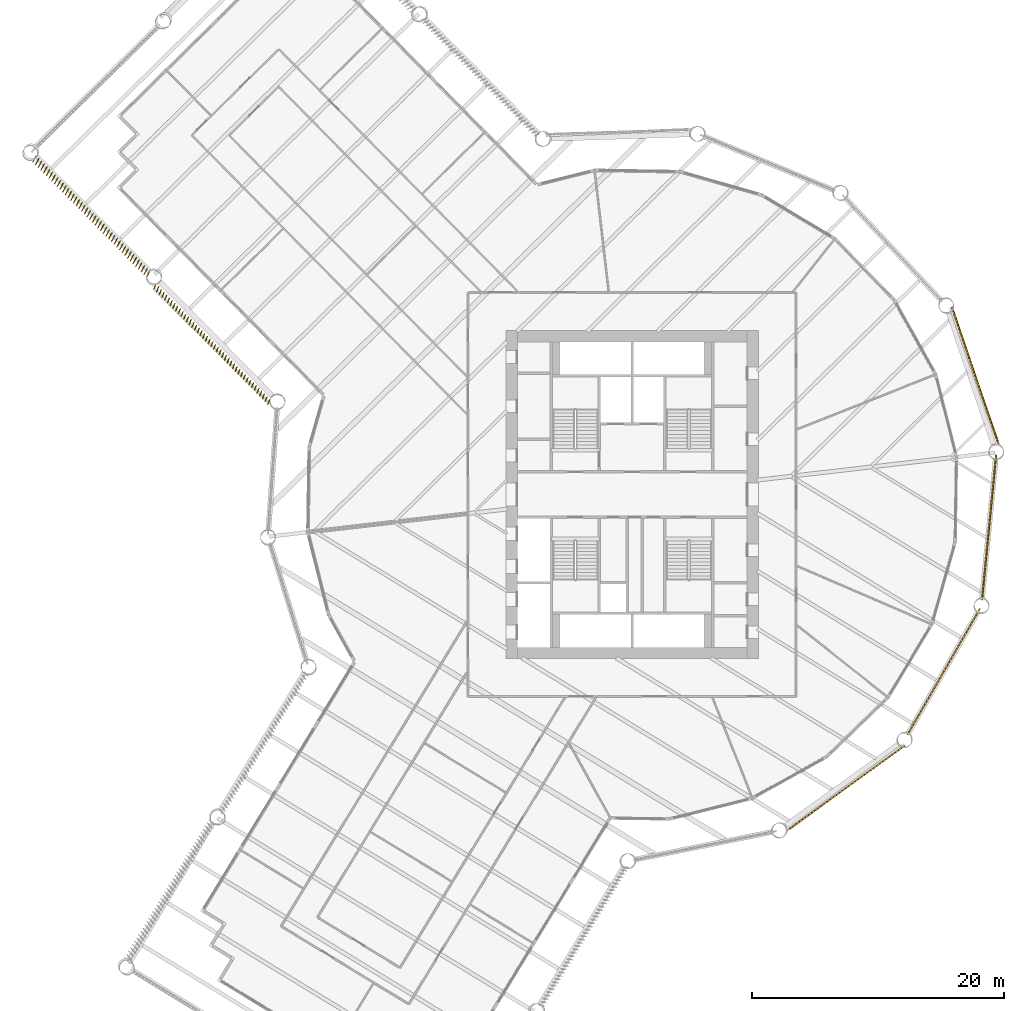
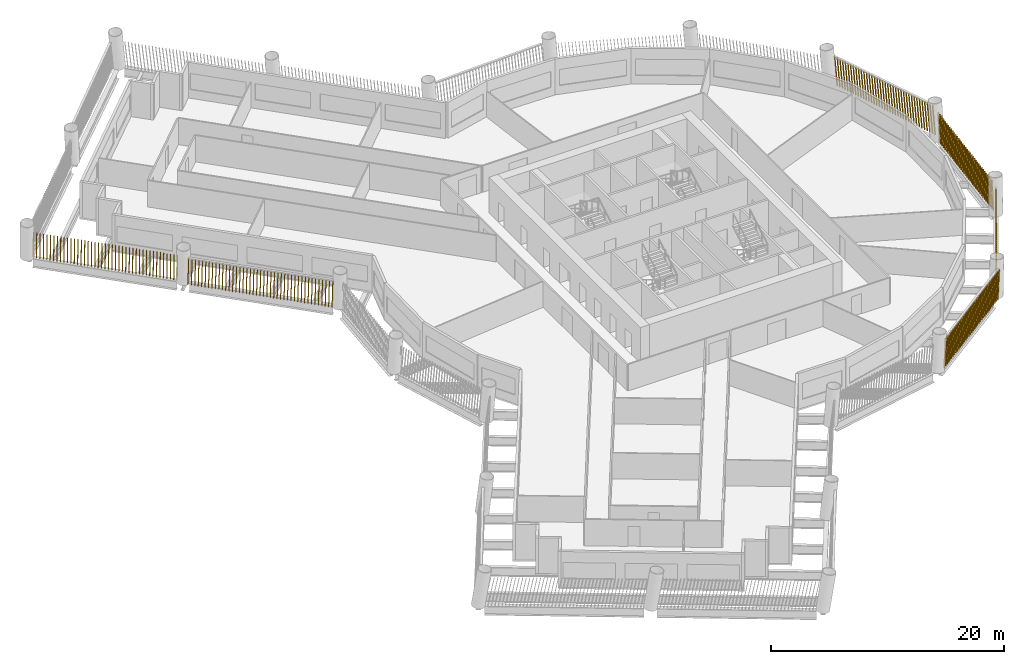
# One storey, part 13 of 15: 6 shading devices.
"""IFC4 building model written with IfcOpenShell, lengths in metres."""

from ifc_helpers import new_model, si_unit, direction, frame, frame_2d, origin, place, context, subcontext, project, spatial, rectangle, composite_profile, extrude, material, type_object, element, save


model = new_model("IFC4")

# Units and contexts
model_context = context("Model", 3, precision=1e-05, world=origin(), true_north=direction((0.0, 1.0)))
body_context = subcontext(model_context, "Body", "Model", "MODEL_VIEW")
ifc_project = project(units=[si_unit("LENGTHUNIT", "METRE"), si_unit("AREAUNIT", "SQUARE_METRE"), si_unit("VOLUMEUNIT", "CUBIC_METRE"), si_unit("PLANEANGLEUNIT", "RADIAN"), si_unit("MASSUNIT", "GRAM", prefix="KILO")], contexts=[model_context])

# Site, building, storey
site_placement = place(None, origin())
site = spatial("IfcSite", under=ifc_project, at=site_placement, CompositionType="ELEMENT")
building_placement = place(site_placement, origin())
building = spatial("IfcBuilding", under=site, at=building_placement, Name="Tarsis Ring Headquarters", CompositionType="ELEMENT")
storey_placement = place(building_placement, frame((0.0, 0.0, 75.10009765625)))
storey = spatial("IfcBuildingStorey", under=building, at=storey_placement, Name="L16", CompositionType="ELEMENT", Elevation=75.10009765625)

# Shading devices
ifc_material = material(Name="Terracotta baguette", Category="masonry")
shading_device_type = type_object("IfcShadingDeviceType", Name="Terracotta baguette screen", PredefinedType="USERDEFINED", material=ifc_material)
shading_device_1_placement = place(storey_placement, frame((12.24169921875, -26.63671875, 0.0), z_axis=(0.0, 0.0, 1.0), x_axis=(0.811633206728, 0.584156266956, 0.0)))
element("IfcShadingDevice", 1, at=shading_device_1_placement, inside=storey, type_object=shading_device_type, Name="Baguette screen L16-08", ObjectType="Terracotta baguette screen", PredefinedType="USERDEFINED", context=body_context, shape_type="SweptSolid", body=[
    extrude(composite_profile([rectangle(XDim=0.06005859375, YDim=0.1201171875, at=frame_2d((0.030029296875, 0.0))), rectangle(XDim=0.06005859375, YDim=0.1201171875, at=frame_2d((0.33251953125, 0.0))), rectangle(XDim=0.06005859375, YDim=0.1201171875, at=frame_2d((0.634765625, 0.0))), rectangle(XDim=0.06005859375, YDim=0.1201171875, at=frame_2d((0.937255859375, 0.0))), rectangle(XDim=0.06005859375, YDim=0.1201171875, at=frame_2d((1.239501953125, 0.0))), rectangle(XDim=0.06005859375, YDim=0.1201171875, at=frame_2d((1.5419921875, 0.0))), rectangle(XDim=0.06005859375, YDim=0.1201171875, at=frame_2d((1.844482421875, 0.0))), rectangle(XDim=0.06005859375, YDim=0.1201171875, at=frame_2d((2.146728515625, 0.0))), rectangle(XDim=0.06005859375, YDim=0.1201171875, at=frame_2d((2.44921875, 0.0))), rectangle(XDim=0.06005859375, YDim=0.1201171875, at=frame_2d((2.751708984375, 0.0))), rectangle(XDim=0.06005859375, YDim=0.1201171875, at=frame_2d((3.053955078125, 0.0))), rectangle(XDim=0.06005859375, YDim=0.1201171875, at=frame_2d((3.3564453125, 0.0))), rectangle(XDim=0.06005859375, YDim=0.1201171875, at=frame_2d((3.65869140625, 0.0))), rectangle(XDim=0.06005859375, YDim=0.1201171875, at=frame_2d((3.961181640625, 0.0))), rectangle(XDim=0.06005859375, YDim=0.1201171875, at=frame_2d((4.263671875, 0.0))), rectangle(XDim=0.06005859375, YDim=0.1201171875, at=frame_2d((4.56591796875, 0.0))), rectangle(XDim=0.06005859375, YDim=0.1201171875, at=frame_2d((4.868408203125, 0.0))), rectangle(XDim=0.06005859375, YDim=0.1201171875, at=frame_2d((5.1708984375, 0.0))), rectangle(XDim=0.06005859375, YDim=0.1201171875, at=frame_2d((5.47314453125, 0.0))), rectangle(XDim=0.06005859375, YDim=0.1201171875, at=frame_2d((5.775634765625, 0.0))), rectangle(XDim=0.06005859375, YDim=0.1201171875, at=frame_2d((6.077880859375, 0.0))), rectangle(XDim=0.06005859375, YDim=0.1201171875, at=frame_2d((6.38037109375, 0.0))), rectangle(XDim=0.06005859375, YDim=0.1201171875, at=frame_2d((6.682861328125, 0.0))), rectangle(XDim=0.06005859375, YDim=0.1201171875, at=frame_2d((6.985107421875, 0.0))), rectangle(XDim=0.06005859375, YDim=0.1201171875, at=frame_2d((7.28759765625, 0.0))), rectangle(XDim=0.06005859375, YDim=0.1201171875, at=frame_2d((7.590087890625, 0.0))), rectangle(XDim=0.06005859375, YDim=0.1201171875, at=frame_2d((7.892333984375, 0.0))), rectangle(XDim=0.06005859375, YDim=0.1201171875, at=frame_2d((8.19482421875, 0.0))), rectangle(XDim=0.06005859375, YDim=0.1201171875, at=frame_2d((8.4970703125, 0.0))), rectangle(XDim=0.06005859375, YDim=0.1201171875, at=frame_2d((8.799560546875, 0.0))), rectangle(XDim=0.06005859375, YDim=0.1201171875, at=frame_2d((9.10205078125, 0.0))), rectangle(XDim=0.06005859375, YDim=0.1201171875, at=frame_2d((9.404296875, 0.0))), rectangle(XDim=0.06005859375, YDim=0.1201171875, at=frame_2d((9.706787109375, 0.0))), rectangle(XDim=0.06005859375, YDim=0.1201171875, at=frame_2d((10.00927734375, 0.0))), rectangle(XDim=0.06005859375, YDim=0.1201171875, at=frame_2d((10.3115234375, 0.0))), rectangle(XDim=0.06005859375, YDim=0.1201171875, at=frame_2d((10.614013671875, 0.0))), rectangle(XDim=0.06005859375, YDim=0.1201171875, at=frame_2d((10.916259765625, 0.0))), rectangle(XDim=0.06005859375, YDim=0.1201171875, at=frame_2d((11.21875, 0.0)))]), origin(), (0.101517902205, 0.000531703042, 0.994833570415), 2.9677734375),
])
shading_device_2_placement = place(storey_placement, frame((21.807861328125, -19.035888671875, 0.0), z_axis=(0.0, 0.0, 1.0), x_axis=(0.498686923494, 0.866782419967, 0.0)))
element("IfcShadingDevice", 2, at=shading_device_2_placement, inside=storey, type_object=shading_device_type, Name="Baguette screen L16-09", ObjectType="Terracotta baguette screen", PredefinedType="USERDEFINED", context=body_context, shape_type="SweptSolid", body=[
    extrude(composite_profile([rectangle(XDim=0.06005859375, YDim=0.1201171875, at=frame_2d((0.030029296875, 0.0))), rectangle(XDim=0.06005859375, YDim=0.1201171875, at=frame_2d((0.33251953125, 0.0))), rectangle(XDim=0.06005859375, YDim=0.1201171875, at=frame_2d((0.634765625, 0.0))), rectangle(XDim=0.06005859375, YDim=0.1201171875, at=frame_2d((0.937255859375, 0.0))), rectangle(XDim=0.06005859375, YDim=0.1201171875, at=frame_2d((1.239501953125, 0.0))), rectangle(XDim=0.06005859375, YDim=0.1201171875, at=frame_2d((1.5419921875, 0.0))), rectangle(XDim=0.06005859375, YDim=0.1201171875, at=frame_2d((1.844482421875, 0.0))), rectangle(XDim=0.06005859375, YDim=0.1201171875, at=frame_2d((2.146728515625, 0.0))), rectangle(XDim=0.06005859375, YDim=0.1201171875, at=frame_2d((2.44921875, 0.0))), rectangle(XDim=0.06005859375, YDim=0.1201171875, at=frame_2d((2.751708984375, 0.0))), rectangle(XDim=0.06005859375, YDim=0.1201171875, at=frame_2d((3.053955078125, 0.0))), rectangle(XDim=0.06005859375, YDim=0.1201171875, at=frame_2d((3.3564453125, 0.0))), rectangle(XDim=0.06005859375, YDim=0.1201171875, at=frame_2d((3.65869140625, 0.0))), rectangle(XDim=0.06005859375, YDim=0.1201171875, at=frame_2d((3.961181640625, 0.0))), rectangle(XDim=0.06005859375, YDim=0.1201171875, at=frame_2d((4.263671875, 0.0))), rectangle(XDim=0.06005859375, YDim=0.1201171875, at=frame_2d((4.56591796875, 0.0))), rectangle(XDim=0.06005859375, YDim=0.1201171875, at=frame_2d((4.868408203125, 0.0))), rectangle(XDim=0.06005859375, YDim=0.1201171875, at=frame_2d((5.1708984375, 0.0))), rectangle(XDim=0.06005859375, YDim=0.1201171875, at=frame_2d((5.47314453125, 0.0))), rectangle(XDim=0.06005859375, YDim=0.1201171875, at=frame_2d((5.775634765625, 0.0))), rectangle(XDim=0.06005859375, YDim=0.1201171875, at=frame_2d((6.077880859375, 0.0))), rectangle(XDim=0.06005859375, YDim=0.1201171875, at=frame_2d((6.38037109375, 0.0))), rectangle(XDim=0.06005859375, YDim=0.1201171875, at=frame_2d((6.682861328125, 0.0))), rectangle(XDim=0.06005859375, YDim=0.1201171875, at=frame_2d((6.985107421875, 0.0))), rectangle(XDim=0.06005859375, YDim=0.1201171875, at=frame_2d((7.28759765625, 0.0))), rectangle(XDim=0.06005859375, YDim=0.1201171875, at=frame_2d((7.590087890625, 0.0))), rectangle(XDim=0.06005859375, YDim=0.1201171875, at=frame_2d((7.892333984375, 0.0))), rectangle(XDim=0.06005859375, YDim=0.1201171875, at=frame_2d((8.19482421875, 0.0))), rectangle(XDim=0.06005859375, YDim=0.1201171875, at=frame_2d((8.4970703125, 0.0))), rectangle(XDim=0.06005859375, YDim=0.1201171875, at=frame_2d((8.799560546875, 0.0))), rectangle(XDim=0.06005859375, YDim=0.1201171875, at=frame_2d((9.10205078125, 0.0))), rectangle(XDim=0.06005859375, YDim=0.1201171875, at=frame_2d((9.404296875, 0.0))), rectangle(XDim=0.06005859375, YDim=0.1201171875, at=frame_2d((9.706787109375, 0.0))), rectangle(XDim=0.06005859375, YDim=0.1201171875, at=frame_2d((10.00927734375, 0.0))), rectangle(XDim=0.06005859375, YDim=0.1201171875, at=frame_2d((10.3115234375, 0.0))), rectangle(XDim=0.06005859375, YDim=0.1201171875, at=frame_2d((10.614013671875, 0.0))), rectangle(XDim=0.06005859375, YDim=0.1201171875, at=frame_2d((10.916259765625, 0.0))), rectangle(XDim=0.06005859375, YDim=0.1201171875, at=frame_2d((11.21875, 0.0)))]), origin(), (0.100208904118, 0.000523672257, 0.99496628149), 2.96728515625),
])
shading_device_3_placement = place(storey_placement, frame((27.71533203125, -8.3544921875, 0.0), z_axis=(0.0, 0.0, 1.0), x_axis=(0.097080846446, 0.995268583831, 0.0)))
element("IfcShadingDevice", 3, at=shading_device_3_placement, inside=storey, type_object=shading_device_type, Name="Baguette screen L16-10", ObjectType="Terracotta baguette screen", PredefinedType="USERDEFINED", context=body_context, shape_type="SweptSolid", body=[
    extrude(composite_profile([rectangle(XDim=0.06005859375, YDim=0.1201171875, at=frame_2d((0.030029296875, 0.0))), rectangle(XDim=0.06005859375, YDim=0.1201171875, at=frame_2d((0.33251953125, 0.0))), rectangle(XDim=0.06005859375, YDim=0.1201171875, at=frame_2d((0.634765625, 0.0))), rectangle(XDim=0.06005859375, YDim=0.1201171875, at=frame_2d((0.937255859375, 0.0))), rectangle(XDim=0.06005859375, YDim=0.1201171875, at=frame_2d((1.239501953125, 0.0))), rectangle(XDim=0.06005859375, YDim=0.1201171875, at=frame_2d((1.5419921875, 0.0))), rectangle(XDim=0.06005859375, YDim=0.1201171875, at=frame_2d((1.844482421875, 0.0))), rectangle(XDim=0.06005859375, YDim=0.1201171875, at=frame_2d((2.146728515625, 0.0))), rectangle(XDim=0.06005859375, YDim=0.1201171875, at=frame_2d((2.44921875, 0.0))), rectangle(XDim=0.06005859375, YDim=0.1201171875, at=frame_2d((2.751708984375, 0.0))), rectangle(XDim=0.06005859375, YDim=0.1201171875, at=frame_2d((3.053955078125, 0.0))), rectangle(XDim=0.06005859375, YDim=0.1201171875, at=frame_2d((3.3564453125, 0.0))), rectangle(XDim=0.06005859375, YDim=0.1201171875, at=frame_2d((3.65869140625, 0.0))), rectangle(XDim=0.06005859375, YDim=0.1201171875, at=frame_2d((3.961181640625, 0.0))), rectangle(XDim=0.06005859375, YDim=0.1201171875, at=frame_2d((4.263671875, 0.0))), rectangle(XDim=0.06005859375, YDim=0.1201171875, at=frame_2d((4.56591796875, 0.0))), rectangle(XDim=0.06005859375, YDim=0.1201171875, at=frame_2d((4.868408203125, 0.0))), rectangle(XDim=0.06005859375, YDim=0.1201171875, at=frame_2d((5.1708984375, 0.0))), rectangle(XDim=0.06005859375, YDim=0.1201171875, at=frame_2d((5.47314453125, 0.0))), rectangle(XDim=0.06005859375, YDim=0.1201171875, at=frame_2d((5.775634765625, 0.0))), rectangle(XDim=0.06005859375, YDim=0.1201171875, at=frame_2d((6.077880859375, 0.0))), rectangle(XDim=0.06005859375, YDim=0.1201171875, at=frame_2d((6.38037109375, 0.0))), rectangle(XDim=0.06005859375, YDim=0.1201171875, at=frame_2d((6.682861328125, 0.0))), rectangle(XDim=0.06005859375, YDim=0.1201171875, at=frame_2d((6.985107421875, 0.0))), rectangle(XDim=0.06005859375, YDim=0.1201171875, at=frame_2d((7.28759765625, 0.0))), rectangle(XDim=0.06005859375, YDim=0.1201171875, at=frame_2d((7.590087890625, 0.0))), rectangle(XDim=0.06005859375, YDim=0.1201171875, at=frame_2d((7.892333984375, 0.0))), rectangle(XDim=0.06005859375, YDim=0.1201171875, at=frame_2d((8.19482421875, 0.0))), rectangle(XDim=0.06005859375, YDim=0.1201171875, at=frame_2d((8.4970703125, 0.0))), rectangle(XDim=0.06005859375, YDim=0.1201171875, at=frame_2d((8.799560546875, 0.0))), rectangle(XDim=0.06005859375, YDim=0.1201171875, at=frame_2d((9.10205078125, 0.0))), rectangle(XDim=0.06005859375, YDim=0.1201171875, at=frame_2d((9.404296875, 0.0))), rectangle(XDim=0.06005859375, YDim=0.1201171875, at=frame_2d((9.706787109375, 0.0))), rectangle(XDim=0.06005859375, YDim=0.1201171875, at=frame_2d((10.00927734375, 0.0))), rectangle(XDim=0.06005859375, YDim=0.1201171875, at=frame_2d((10.3115234375, 0.0))), rectangle(XDim=0.06005859375, YDim=0.1201171875, at=frame_2d((10.614013671875, 0.0))), rectangle(XDim=0.06005859375, YDim=0.1201171875, at=frame_2d((10.916259765625, 0.0))), rectangle(XDim=0.06005859375, YDim=0.1201171875, at=frame_2d((11.21875, 0.0)))]), origin(), (0.100207993893, 0.000524645018, 0.994966372652), 2.96728515625),
])
shading_device_4_placement = place(storey_placement, frame((29.050048828125, 3.932861328125, 0.0), z_axis=(0.0, 0.0, 1.0), x_axis=(-0.321779706999, 0.946804123711, 0.0)))
element("IfcShadingDevice", 4, at=shading_device_4_placement, inside=storey, type_object=shading_device_type, Name="Baguette screen L16-11", ObjectType="Terracotta baguette screen", PredefinedType="USERDEFINED", context=body_context, shape_type="SweptSolid", body=[
    extrude(composite_profile([rectangle(XDim=0.06005859375, YDim=0.1201171875, at=frame_2d((0.030029296875, 0.0))), rectangle(XDim=0.06005859375, YDim=0.1201171875, at=frame_2d((0.33251953125, 0.0))), rectangle(XDim=0.06005859375, YDim=0.1201171875, at=frame_2d((0.634765625, 0.0))), rectangle(XDim=0.06005859375, YDim=0.1201171875, at=frame_2d((0.937255859375, 0.0))), rectangle(XDim=0.06005859375, YDim=0.1201171875, at=frame_2d((1.239501953125, 0.0))), rectangle(XDim=0.06005859375, YDim=0.1201171875, at=frame_2d((1.5419921875, 0.0))), rectangle(XDim=0.06005859375, YDim=0.1201171875, at=frame_2d((1.844482421875, 0.0))), rectangle(XDim=0.06005859375, YDim=0.1201171875, at=frame_2d((2.146728515625, 0.0))), rectangle(XDim=0.06005859375, YDim=0.1201171875, at=frame_2d((2.44921875, 0.0))), rectangle(XDim=0.06005859375, YDim=0.1201171875, at=frame_2d((2.751708984375, 0.0))), rectangle(XDim=0.06005859375, YDim=0.1201171875, at=frame_2d((3.053955078125, 0.0))), rectangle(XDim=0.06005859375, YDim=0.1201171875, at=frame_2d((3.3564453125, 0.0))), rectangle(XDim=0.06005859375, YDim=0.1201171875, at=frame_2d((3.65869140625, 0.0))), rectangle(XDim=0.06005859375, YDim=0.1201171875, at=frame_2d((3.961181640625, 0.0))), rectangle(XDim=0.06005859375, YDim=0.1201171875, at=frame_2d((4.263671875, 0.0))), rectangle(XDim=0.06005859375, YDim=0.1201171875, at=frame_2d((4.56591796875, 0.0))), rectangle(XDim=0.06005859375, YDim=0.1201171875, at=frame_2d((4.868408203125, 0.0))), rectangle(XDim=0.06005859375, YDim=0.1201171875, at=frame_2d((5.1708984375, 0.0))), rectangle(XDim=0.06005859375, YDim=0.1201171875, at=frame_2d((5.47314453125, 0.0))), rectangle(XDim=0.06005859375, YDim=0.1201171875, at=frame_2d((5.775634765625, 0.0))), rectangle(XDim=0.06005859375, YDim=0.1201171875, at=frame_2d((6.077880859375, 0.0))), rectangle(XDim=0.06005859375, YDim=0.1201171875, at=frame_2d((6.38037109375, 0.0))), rectangle(XDim=0.06005859375, YDim=0.1201171875, at=frame_2d((6.682861328125, 0.0))), rectangle(XDim=0.06005859375, YDim=0.1201171875, at=frame_2d((6.985107421875, 0.0))), rectangle(XDim=0.06005859375, YDim=0.1201171875, at=frame_2d((7.28759765625, 0.0))), rectangle(XDim=0.06005859375, YDim=0.1201171875, at=frame_2d((7.590087890625, 0.0))), rectangle(XDim=0.06005859375, YDim=0.1201171875, at=frame_2d((7.892333984375, 0.0))), rectangle(XDim=0.06005859375, YDim=0.1201171875, at=frame_2d((8.19482421875, 0.0))), rectangle(XDim=0.06005859375, YDim=0.1201171875, at=frame_2d((8.4970703125, 0.0))), rectangle(XDim=0.06005859375, YDim=0.1201171875, at=frame_2d((8.799560546875, 0.0))), rectangle(XDim=0.06005859375, YDim=0.1201171875, at=frame_2d((9.10205078125, 0.0))), rectangle(XDim=0.06005859375, YDim=0.1201171875, at=frame_2d((9.404296875, 0.0))), rectangle(XDim=0.06005859375, YDim=0.1201171875, at=frame_2d((9.706787109375, 0.0))), rectangle(XDim=0.06005859375, YDim=0.1201171875, at=frame_2d((10.00927734375, 0.0))), rectangle(XDim=0.06005859375, YDim=0.1201171875, at=frame_2d((10.3115234375, 0.0))), rectangle(XDim=0.06005859375, YDim=0.1201171875, at=frame_2d((10.614013671875, 0.0))), rectangle(XDim=0.06005859375, YDim=0.1201171875, at=frame_2d((10.916259765625, 0.0))), rectangle(XDim=0.06005859375, YDim=0.1201171875, at=frame_2d((11.21875, 0.0)))]), origin(), (0.101517374614, 0.000532648383, 0.994833623747), 2.9677734375),
])
shading_device_5_placement = place(storey_placement, frame((-47.260498046875, 26.84716796875, 0.0), z_axis=(0.0, 0.0, 1.0), x_axis=(0.702145776567, -0.712023160763, 0.0)))
element("IfcShadingDevice", 5, at=shading_device_5_placement, inside=storey, type_object=shading_device_type, Name="Baguette screen L16-19", ObjectType="Terracotta baguette screen", PredefinedType="USERDEFINED", context=body_context, shape_type="SweptSolid", body=[
    extrude(composite_profile([rectangle(XDim=0.06005859375, YDim=0.1201171875, at=frame_2d((0.030029296875, 0.0))), rectangle(XDim=0.06005859375, YDim=0.1201171875, at=frame_2d((0.335693359375, 0.0))), rectangle(XDim=0.06005859375, YDim=0.1201171875, at=frame_2d((0.6416015625, 0.0))), rectangle(XDim=0.06005859375, YDim=0.1201171875, at=frame_2d((0.947265625, 0.0))), rectangle(XDim=0.06005859375, YDim=0.1201171875, at=frame_2d((1.253173828125, 0.0))), rectangle(XDim=0.06005859375, YDim=0.1201171875, at=frame_2d((1.558837890625, 0.0))), rectangle(XDim=0.06005859375, YDim=0.1201171875, at=frame_2d((1.864501953125, 0.0))), rectangle(XDim=0.06005859375, YDim=0.1201171875, at=frame_2d((2.17041015625, 0.0))), rectangle(XDim=0.06005859375, YDim=0.1201171875, at=frame_2d((2.47607421875, 0.0))), rectangle(XDim=0.06005859375, YDim=0.1201171875, at=frame_2d((2.781982421875, 0.0))), rectangle(XDim=0.06005859375, YDim=0.1201171875, at=frame_2d((3.087646484375, 0.0))), rectangle(XDim=0.06005859375, YDim=0.1201171875, at=frame_2d((3.393310546875, 0.0))), rectangle(XDim=0.06005859375, YDim=0.1201171875, at=frame_2d((3.69921875, 0.0))), rectangle(XDim=0.06005859375, YDim=0.1201171875, at=frame_2d((4.0048828125, 0.0))), rectangle(XDim=0.06005859375, YDim=0.1201171875, at=frame_2d((4.310791015625, 0.0))), rectangle(XDim=0.06005859375, YDim=0.1201171875, at=frame_2d((4.616455078125, 0.0))), rectangle(XDim=0.06005859375, YDim=0.1201171875, at=frame_2d((4.922119140625, 0.0))), rectangle(XDim=0.06005859375, YDim=0.1201171875, at=frame_2d((5.22802734375, 0.0))), rectangle(XDim=0.06005859375, YDim=0.1201171875, at=frame_2d((5.53369140625, 0.0))), rectangle(XDim=0.06005859375, YDim=0.1201171875, at=frame_2d((5.839599609375, 0.0))), rectangle(XDim=0.06005859375, YDim=0.1201171875, at=frame_2d((6.145263671875, 0.0))), rectangle(XDim=0.06005859375, YDim=0.1201171875, at=frame_2d((6.451171875, 0.0))), rectangle(XDim=0.06005859375, YDim=0.1201171875, at=frame_2d((6.7568359375, 0.0))), rectangle(XDim=0.06005859375, YDim=0.1201171875, at=frame_2d((7.0625, 0.0))), rectangle(XDim=0.06005859375, YDim=0.1201171875, at=frame_2d((7.368408203125, 0.0))), rectangle(XDim=0.06005859375, YDim=0.1201171875, at=frame_2d((7.674072265625, 0.0))), rectangle(XDim=0.06005859375, YDim=0.1201171875, at=frame_2d((7.97998046875, 0.0))), rectangle(XDim=0.06005859375, YDim=0.1201171875, at=frame_2d((8.28564453125, 0.0))), rectangle(XDim=0.06005859375, YDim=0.1201171875, at=frame_2d((8.59130859375, 0.0))), rectangle(XDim=0.06005859375, YDim=0.1201171875, at=frame_2d((8.897216796875, 0.0))), rectangle(XDim=0.06005859375, YDim=0.1201171875, at=frame_2d((9.202880859375, 0.0))), rectangle(XDim=0.06005859375, YDim=0.1201171875, at=frame_2d((9.5087890625, 0.0))), rectangle(XDim=0.06005859375, YDim=0.1201171875, at=frame_2d((9.814453125, 0.0))), rectangle(XDim=0.06005859375, YDim=0.1201171875, at=frame_2d((10.1201171875, 0.0))), rectangle(XDim=0.06005859375, YDim=0.1201171875, at=frame_2d((10.426025390625, 0.0))), rectangle(XDim=0.06005859375, YDim=0.1201171875, at=frame_2d((10.731689453125, 0.0))), rectangle(XDim=0.06005859375, YDim=0.1201171875, at=frame_2d((11.03759765625, 0.0))), rectangle(XDim=0.06005859375, YDim=0.1201171875, at=frame_2d((11.34326171875, 0.0))), rectangle(XDim=0.06005859375, YDim=0.1201171875, at=frame_2d((11.64892578125, 0.0))), rectangle(XDim=0.06005859375, YDim=0.1201171875, at=frame_2d((11.954833984375, 0.0))), rectangle(XDim=0.06005859375, YDim=0.1201171875, at=frame_2d((12.260498046875, 0.0))), rectangle(XDim=0.06005859375, YDim=0.1201171875, at=frame_2d((12.56640625, 0.0))), rectangle(XDim=0.06005859375, YDim=0.1201171875, at=frame_2d((12.8720703125, 0.0)))]), origin(), (0.05258350274, -0.160024781137, 0.98571144087), 2.9951171875),
])
shading_device_6_placement = place(storey_placement, frame((-37.76611328125, 16.68505859375, 0.0), z_axis=(0.0, 0.0, 1.0), x_axis=(0.702145776567, -0.712023160763, 0.0)))
element("IfcShadingDevice", 6, at=shading_device_6_placement, inside=storey, type_object=shading_device_type, Name="Baguette screen L16-20", ObjectType="Terracotta baguette screen", PredefinedType="USERDEFINED", context=body_context, shape_type="SweptSolid", body=[
    extrude(composite_profile([rectangle(XDim=0.06005859375, YDim=0.1201171875, at=frame_2d((0.030029296875, 0.0))), rectangle(XDim=0.06005859375, YDim=0.1201171875, at=frame_2d((0.335693359375, 0.0))), rectangle(XDim=0.06005859375, YDim=0.1201171875, at=frame_2d((0.6416015625, 0.0))), rectangle(XDim=0.06005859375, YDim=0.1201171875, at=frame_2d((0.947265625, 0.0))), rectangle(XDim=0.06005859375, YDim=0.1201171875, at=frame_2d((1.253173828125, 0.0))), rectangle(XDim=0.06005859375, YDim=0.1201171875, at=frame_2d((1.558837890625, 0.0))), rectangle(XDim=0.06005859375, YDim=0.1201171875, at=frame_2d((1.864501953125, 0.0))), rectangle(XDim=0.06005859375, YDim=0.1201171875, at=frame_2d((2.17041015625, 0.0))), rectangle(XDim=0.06005859375, YDim=0.1201171875, at=frame_2d((2.47607421875, 0.0))), rectangle(XDim=0.06005859375, YDim=0.1201171875, at=frame_2d((2.781982421875, 0.0))), rectangle(XDim=0.06005859375, YDim=0.1201171875, at=frame_2d((3.087646484375, 0.0))), rectangle(XDim=0.06005859375, YDim=0.1201171875, at=frame_2d((3.393310546875, 0.0))), rectangle(XDim=0.06005859375, YDim=0.1201171875, at=frame_2d((3.69921875, 0.0))), rectangle(XDim=0.06005859375, YDim=0.1201171875, at=frame_2d((4.0048828125, 0.0))), rectangle(XDim=0.06005859375, YDim=0.1201171875, at=frame_2d((4.310791015625, 0.0))), rectangle(XDim=0.06005859375, YDim=0.1201171875, at=frame_2d((4.616455078125, 0.0))), rectangle(XDim=0.06005859375, YDim=0.1201171875, at=frame_2d((4.922119140625, 0.0))), rectangle(XDim=0.06005859375, YDim=0.1201171875, at=frame_2d((5.22802734375, 0.0))), rectangle(XDim=0.06005859375, YDim=0.1201171875, at=frame_2d((5.53369140625, 0.0))), rectangle(XDim=0.06005859375, YDim=0.1201171875, at=frame_2d((5.839599609375, 0.0))), rectangle(XDim=0.06005859375, YDim=0.1201171875, at=frame_2d((6.145263671875, 0.0))), rectangle(XDim=0.06005859375, YDim=0.1201171875, at=frame_2d((6.451171875, 0.0))), rectangle(XDim=0.06005859375, YDim=0.1201171875, at=frame_2d((6.7568359375, 0.0))), rectangle(XDim=0.06005859375, YDim=0.1201171875, at=frame_2d((7.0625, 0.0))), rectangle(XDim=0.06005859375, YDim=0.1201171875, at=frame_2d((7.368408203125, 0.0))), rectangle(XDim=0.06005859375, YDim=0.1201171875, at=frame_2d((7.674072265625, 0.0))), rectangle(XDim=0.06005859375, YDim=0.1201171875, at=frame_2d((7.97998046875, 0.0))), rectangle(XDim=0.06005859375, YDim=0.1201171875, at=frame_2d((8.28564453125, 0.0))), rectangle(XDim=0.06005859375, YDim=0.1201171875, at=frame_2d((8.59130859375, 0.0))), rectangle(XDim=0.06005859375, YDim=0.1201171875, at=frame_2d((8.897216796875, 0.0))), rectangle(XDim=0.06005859375, YDim=0.1201171875, at=frame_2d((9.202880859375, 0.0))), rectangle(XDim=0.06005859375, YDim=0.1201171875, at=frame_2d((9.5087890625, 0.0))), rectangle(XDim=0.06005859375, YDim=0.1201171875, at=frame_2d((9.814453125, 0.0))), rectangle(XDim=0.06005859375, YDim=0.1201171875, at=frame_2d((10.1201171875, 0.0))), rectangle(XDim=0.06005859375, YDim=0.1201171875, at=frame_2d((10.426025390625, 0.0))), rectangle(XDim=0.06005859375, YDim=0.1201171875, at=frame_2d((10.731689453125, 0.0))), rectangle(XDim=0.06005859375, YDim=0.1201171875, at=frame_2d((11.03759765625, 0.0))), rectangle(XDim=0.06005859375, YDim=0.1201171875, at=frame_2d((11.34326171875, 0.0))), rectangle(XDim=0.06005859375, YDim=0.1201171875, at=frame_2d((11.64892578125, 0.0))), rectangle(XDim=0.06005859375, YDim=0.1201171875, at=frame_2d((11.954833984375, 0.0))), rectangle(XDim=0.06005859375, YDim=0.1201171875, at=frame_2d((12.260498046875, 0.0))), rectangle(XDim=0.06005859375, YDim=0.1201171875, at=frame_2d((12.56640625, 0.0))), rectangle(XDim=0.06005859375, YDim=0.1201171875, at=frame_2d((12.8720703125, 0.0)))]), origin(), (0.053994065382, -0.112149223236, 0.992223358237), 2.9755859375),
])

save(model, "model.ifc")
